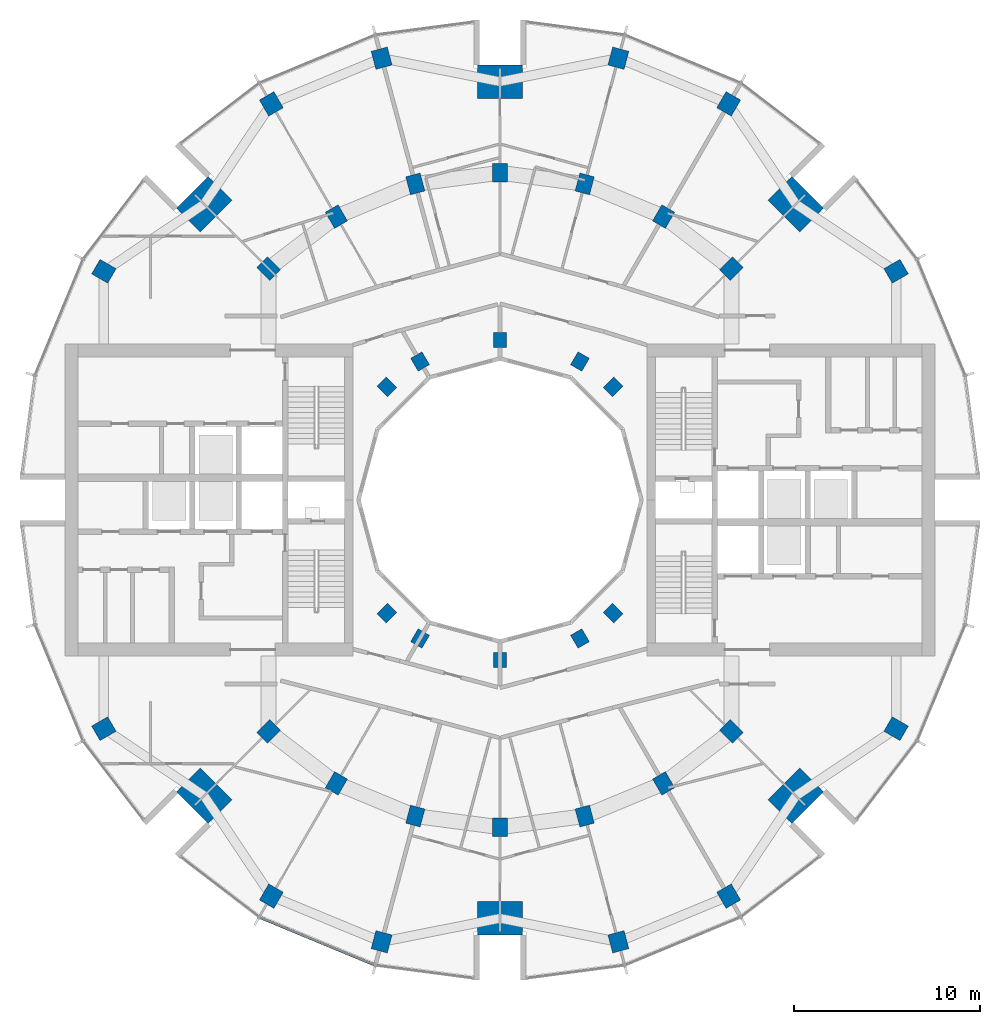
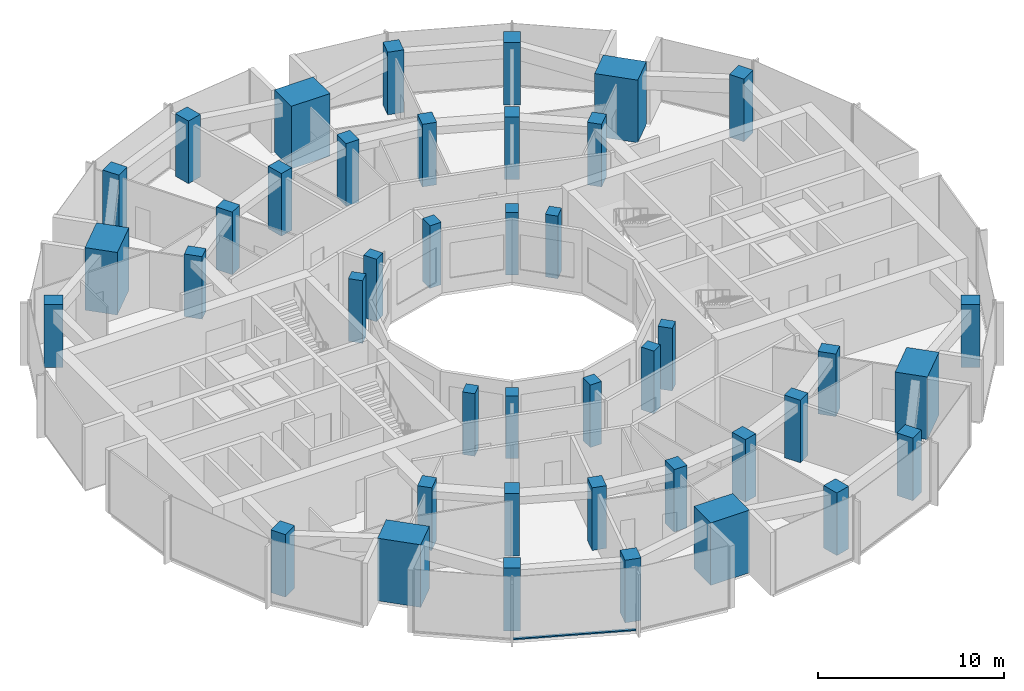
# One storey, part 1 of 15: 42 columns, 1 member, 1 element without a shape of its own.
"""IFC4 building model written with IfcOpenShell, lengths in metres."""

from ifc_helpers import new_model, si_unit, direction, frame, origin, origin_2d, place, context, subcontext, project, spatial, rectangle, extrude, material, layer, layer_set, material_profile, profile_set, type_object, element, aggregate, save


model = new_model("IFC4")

# Units and contexts
model_context = context("Model", 3, precision=1e-05, world=origin(), true_north=direction((0.0, 1.0)))
body_context = subcontext(model_context, "Body", "Model", "MODEL_VIEW")
ifc_project = project(units=[si_unit("LENGTHUNIT", "METRE"), si_unit("AREAUNIT", "SQUARE_METRE"), si_unit("VOLUMEUNIT", "CUBIC_METRE"), si_unit("PLANEANGLEUNIT", "RADIAN"), si_unit("MASSUNIT", "GRAM", prefix="KILO")], contexts=[model_context])

# Site, building, storey
site_placement = place(None, origin())
site = spatial("IfcSite", under=ifc_project, at=site_placement, CompositionType="ELEMENT")
building_placement = place(site_placement, origin())
building = spatial("IfcBuilding", under=site, at=building_placement, Name="Torre Brocal", CompositionType="ELEMENT")
storey_placement = place(building_placement, frame((0.0, 0.0, 194.60009765625)))
storey = spatial("IfcBuildingStorey", under=building, at=storey_placement, Name="L45", CompositionType="ELEMENT", Elevation=194.60009765625)

# Columns
ifc_material_1 = material(Name="Concrete C70", Category="concrete")
ifc_material_profile_1 = material_profile(ifc_material_1, rectangle(XDim=1.0, YDim=0.800048828125, at=origin_2d()), Name="RC 1000X800")
ifc_profile_set_1 = profile_set([ifc_material_profile_1], Name="Concrete C70")
column_type_1 = type_object("IfcColumnType", Name="RC COLUMN 1000X800 C70", PredefinedType="COLUMN", material=ifc_profile_set_1)
for number, where, z_axis, x_axis, name in (
    (1, (92.445068359375, 87.445068359375, 0.0), (0.0, 0.0, 1.0), (0.707106781187, 0.707106781187, 0.0), "Column C-M03"),
    (2, (88.800048828125, 90.241943359375, 0.0), (0.0, 0.0, 1.0), (0.5, 0.866025403784, 0.0), "Column C-M04"),
    (3, (84.55517578125, 92.000244140625, 0.0), (0.0, 0.0, 1.0), (0.258819045103, 0.965925826289, 0.0), "Column C-M05"),
    (4, (80.0, 92.60009765625, 0.0), (0.0, 0.0, 1.0), (0.0, 1.0, 0.0), "Column C-M06"),
    (5, (75.44482421875, 92.000244140625, 0.0), (0.0, 0.0, 1.0), (-0.258819045103, 0.965925826289, 0.0), "Column C-M07"),
    (6, (71.199951171875, 90.241943359375, 0.0), (0.0, 0.0, 1.0), (-0.5, 0.866025403784, 0.0), "Column C-M08"),
    (7, (67.554931640625, 87.445068359375, 0.0), (0.0, 0.0, 1.0), (-0.707106781187, 0.707106781187, 0.0), "Column C-M09"),
    (8, (67.554931640625, 62.554931640625, 0.0), (0.0, 0.0, 1.0), (-0.707106781187, -0.707106781187, 0.0), "Column C-M15"),
    (9, (71.199951171875, 59.758056640625, 0.0), (0.0, 0.0, 1.0), (-0.5, -0.866025403784, 0.0), "Column C-M16"),
    (10, (75.44482421875, 57.999755859375, 0.0), (0.0, 0.0, 1.0), (-0.258819045103, -0.965925826289, 0.0), "Column C-M17"),
    (11, (80.0, 57.39990234375, 0.0), (0.0, 0.0, 1.0), (0.0, -1.0, 0.0), "Column C-M18"),
    (12, (84.55517578125, 57.999755859375, 0.0), (0.0, 0.0, 1.0), (0.258819045103, -0.965925826289, 0.0), "Column C-M19"),
    (13, (88.800048828125, 59.758056640625, 0.0), (0.0, 0.0, 1.0), (0.5, -0.866025403784, 0.0), "Column C-M20"),
    (14, (92.445068359375, 62.554931640625, 0.0), (0.0, 0.0, 1.0), (0.707106781187, -0.707106781187, 0.0), "Column C-M21"),
):
    element("IfcColumn", number, at=place(storey_placement, frame(where, z_axis=z_axis, x_axis=x_axis)), inside=storey, type_object=column_type_1, Name=name, PredefinedType="COLUMN", context=body_context, shape_type="SweptSolid", body=[
        extrude(rectangle(XDim=1.0, YDim=0.800048828125, at=origin_2d()), origin(), (0.0, 0.0, 1.0), 4.099853515625),
    ])
ifc_material_2 = material(Name="Concrete C70", Category="concrete")
ifc_material_profile_2 = material_profile(ifc_material_2, rectangle(XDim=1.0, YDim=0.89990234375, at=origin_2d()), Name="RC 1000X900")
ifc_profile_set_2 = profile_set([ifc_material_profile_2], Name="Concrete C70")
column_type_2 = type_object("IfcColumnType", Name="RC COLUMN 1000X900 C70", PredefinedType="COLUMN", material=ifc_profile_set_2)
for number, where, z_axis, x_axis, name in (
    (15, (101.30419921875, 87.300048828125, 0.0), (0.0, 0.0, 1.0), (0.866025403784, 0.5, 0.0), "Column C-O02"),
    (16, (92.300048828125, 96.30419921875, 0.0), (0.0, 0.0, 1.0), (0.5, 0.866025403784, 0.0), "Column C-O04"),
    (17, (86.366943359375, 98.76171875, 0.0), (0.0, 0.0, 1.0), (0.258819045103, 0.965925826289, 0.0), "Column C-O05"),
    (18, (73.633056640625, 98.76171875, 0.0), (0.0, 0.0, 1.0), (-0.258819045103, 0.965925826289, 0.0), "Column C-O07"),
    (19, (67.699951171875, 96.30419921875, 0.0), (0.0, 0.0, 1.0), (-0.5, 0.866025403784, 0.0), "Column C-O08"),
    (20, (58.69580078125, 87.300048828125, 0.0), (0.0, 0.0, 1.0), (-0.866025403784, 0.5, 0.0), "Column C-O10"),
    (21, (58.69580078125, 62.699951171875, 0.0), (0.0, 0.0, 1.0), (-0.866025403784, -0.5, 0.0), "Column C-O14"),
    (22, (67.699951171875, 53.69580078125, 0.0), (0.0, 0.0, 1.0), (-0.5, -0.866025403784, 0.0), "Column C-O16"),
    (23, (73.633056640625, 51.23828125, 0.0), (0.0, 0.0, 1.0), (-0.258819045103, -0.965925826289, 0.0), "Column C-O17"),
    (24, (86.366943359375, 51.23828125, 0.0), (0.0, 0.0, 1.0), (0.258819045103, -0.965925826289, 0.0), "Column C-O19"),
    (25, (92.300048828125, 53.69580078125, 0.0), (0.0, 0.0, 1.0), (0.5, -0.866025403784, 0.0), "Column C-O20"),
    (26, (101.30419921875, 62.699951171875, 0.0), (0.0, 0.0, 1.0), (0.866025403784, -0.5, 0.0), "Column C-O22"),
):
    element("IfcColumn", number, at=place(storey_placement, frame(where, z_axis=z_axis, x_axis=x_axis)), inside=storey, type_object=column_type_2, Name=name, PredefinedType="COLUMN", context=body_context, shape_type="SweptSolid", body=[
        extrude(rectangle(XDim=1.0, YDim=0.89990234375, at=origin_2d()), origin(), (0.0, 0.0, 1.0), 4.099853515625),
    ])
ifc_material_3 = material(Name="Concrete C70", Category="concrete")
ifc_material_profile_3 = material_profile(ifc_material_3, rectangle(XDim=1.800048828125, YDim=2.39990234375, at=origin_2d()), Name="RC 1800X2400")
ifc_profile_set_3 = profile_set([ifc_material_profile_3], Name="Concrete C70")
column_type_3 = type_object("IfcColumnType", Name="RC COLUMN 1800X2400 C70", PredefinedType="COLUMN", material=ifc_profile_set_3)
for number, where, z_axis, x_axis, name in (
    (27, (95.909912109375, 90.909912109375, 0.0), (0.0, 0.0, 1.0), (0.707106781187, 0.707106781187, 0.0), "Column MC-1"),
    (28, (80.0, 97.5, 0.0), (0.0, 0.0, 1.0), (0.0, 1.0, 0.0), "Column MC-2"),
    (29, (64.090087890625, 90.909912109375, 0.0), (0.0, 0.0, 1.0), (-0.707106781187, 0.707106781187, 0.0), "Column MC-3"),
    (30, (64.090087890625, 59.090087890625, 0.0), (0.0, 0.0, 1.0), (-0.707106781187, -0.707106781187, 0.0), "Column MC-5"),
    (31, (80.0, 52.5, 0.0), (0.0, 0.0, 1.0), (0.0, -1.0, 0.0), "Column MC-6"),
    (32, (95.909912109375, 59.090087890625, 0.0), (0.0, 0.0, 1.0), (0.707106781187, -0.707106781187, 0.0), "Column MC-7"),
):
    element("IfcColumn", number, at=place(storey_placement, frame(where, z_axis=z_axis, x_axis=x_axis)), inside=storey, type_object=column_type_3, Name=name, PredefinedType="COLUMN", context=body_context, shape_type="SweptSolid", body=[
        extrude(rectangle(XDim=1.800048828125, YDim=2.39990234375, at=origin_2d()), origin(), (0.0, 0.0, 1.0), 4.099853515625),
    ])
ifc_material_4 = material(Name="Concrete C70", Category="concrete")
ifc_material_profile_4 = material_profile(ifc_material_4, rectangle(XDim=0.800048828125, YDim=0.699951171875, at=origin_2d()), Name="RC 800X700")
ifc_profile_set_4 = profile_set([ifc_material_profile_4], Name="Concrete C70")
column_type_4 = type_object("IfcColumnType", Name="RC COLUMN 800X700 C70", PredefinedType="COLUMN", material=ifc_profile_set_4)
for number, where, z_axis, x_axis, name in (
    (33, (86.0810546875, 81.0810546875, 0.0), (0.0, 0.0, 1.0), (0.707106781187, 0.707106781187, 0.0), "Column C-I03"),
    (34, (84.300048828125, 82.44775390625, 0.0), (0.0, 0.0, 1.0), (0.5, 0.866025403784, 0.0), "Column C-I04"),
    (35, (80.0, 83.60009765625, 0.0), (0.0, 0.0, 1.0), (0.0, 1.0, 0.0), "Column C-I06"),
    (36, (75.699951171875, 82.44775390625, 0.0), (0.0, 0.0, 1.0), (-0.5, 0.866025403784, 0.0), "Column C-I08"),
    (37, (73.9189453125, 81.0810546875, 0.0), (0.0, 0.0, 1.0), (-0.707106781187, 0.707106781187, 0.0), "Column C-I09"),
    (38, (73.9189453125, 68.9189453125, 0.0), (0.0, 0.0, 1.0), (-0.707106781187, -0.707106781187, 0.0), "Column C-I15"),
    (39, (75.699951171875, 67.55224609375, 0.0), (0.0, 0.0, 1.0), (-0.5, -0.866025403784, 0.0), "Column C-I16"),
    (40, (80.0, 66.39990234375, 0.0), (0.0, 0.0, 1.0), (0.0, -1.0, 0.0), "Column C-I18"),
    (41, (84.300048828125, 67.55224609375, 0.0), (0.0, 0.0, 1.0), (0.5, -0.866025403784, 0.0), "Column C-I20"),
    (42, (86.0810546875, 68.9189453125, 0.0), (0.0, 0.0, 1.0), (0.707106781187, -0.707106781187, 0.0), "Column C-I21"),
):
    element("IfcColumn", number, at=place(storey_placement, frame(where, z_axis=z_axis, x_axis=x_axis)), inside=storey, type_object=column_type_4, Name=name, PredefinedType="COLUMN", context=body_context, shape_type="SweptSolid", body=[
        extrude(rectangle(XDim=0.800048828125, YDim=0.699951171875, at=origin_2d()), origin(), (0.0, 0.0, 1.0), 4.099853515625),
    ])

# Curtain wall, member
ifc_material_5 = material(Name="Aluminium and glass", Category="aluminium")
ifc_layer = layer(ifc_material_5, 0.199951171875)
ifc_layer_set = layer_set([ifc_layer], Name="Aluminium and glass")
curtain_wall_type = type_object("IfcCurtainWallType", Name="CW-1 CURTAIN WALL 4100 HIGH", PredefinedType="NOTDEFINED", material=ifc_layer_set)
curtain_wall_placement = place(storey_placement, origin())
curtain_wall = element("IfcCurtainWall", 43, at=curtain_wall_placement, inside=storey, type_object=curtain_wall_type, Name="CW-1 RUN 17", PredefinedType="NOTDEFINED")
ifc_material_6 = material(Name="Aluminium, dark anodised", Category="aluminium")
ifc_material_profile_5 = material_profile(ifc_material_6, rectangle(XDim=0.159912109375, YDim=0.080078125, at=origin_2d()), Name="CW-1 TRANSOM 160X80")
ifc_profile_set_5 = profile_set([ifc_material_profile_5], Name="Aluminium, dark anodised")
member_type = type_object("IfcMemberType", Name="CW-1 TRANSOM 160X80", PredefinedType="USERDEFINED", material=ifc_profile_set_5)
member_placement = place(storey_placement, frame((67.10595703125, 52.547607421875, 0.039794921875), z_axis=(0.923887344364, -0.38266457234, 0.0), x_axis=(0.38266457234, 0.923887344364, 0.0)))
member = element("IfcMember", 44, at=member_placement, type_object=member_type, Name="CW1-4 transom 1.1", ObjectType="TRANSOM", PredefinedType="USERDEFINED", context=body_context, shape_type="SweptSolid", body=[
    extrude(rectangle(XDim=0.159912109375, YDim=0.080078125, at=origin_2d()), origin(), (0.0, 0.0, 1.0), 6.640869140625),
])
aggregate(curtain_wall, [member])

save(model, "model.ifc")
